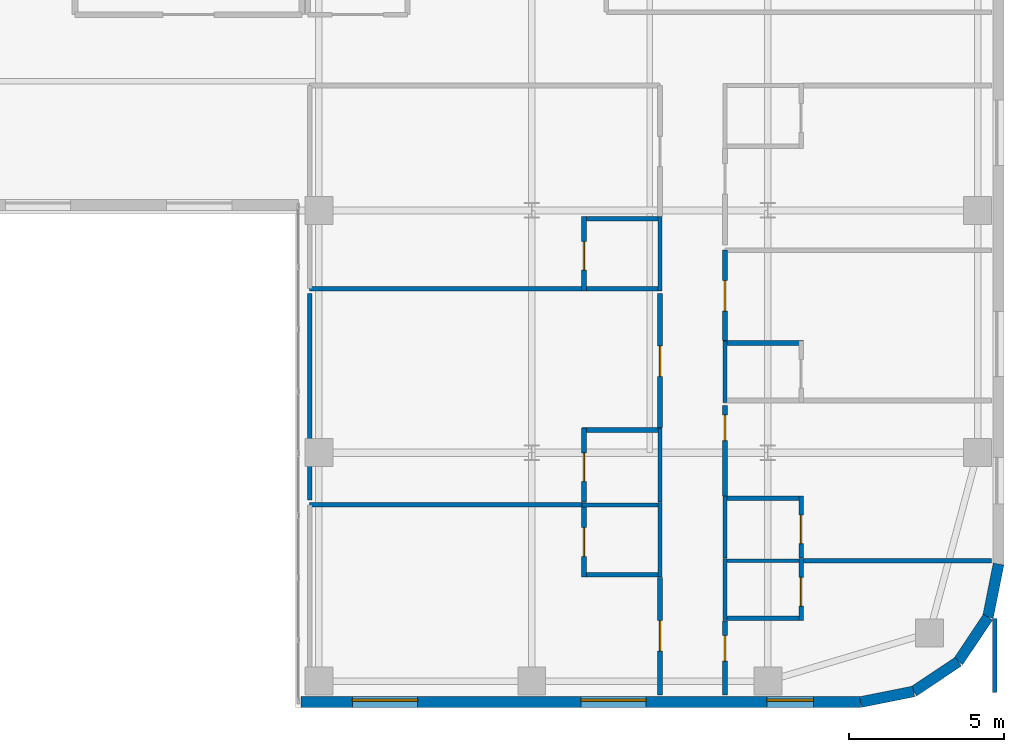
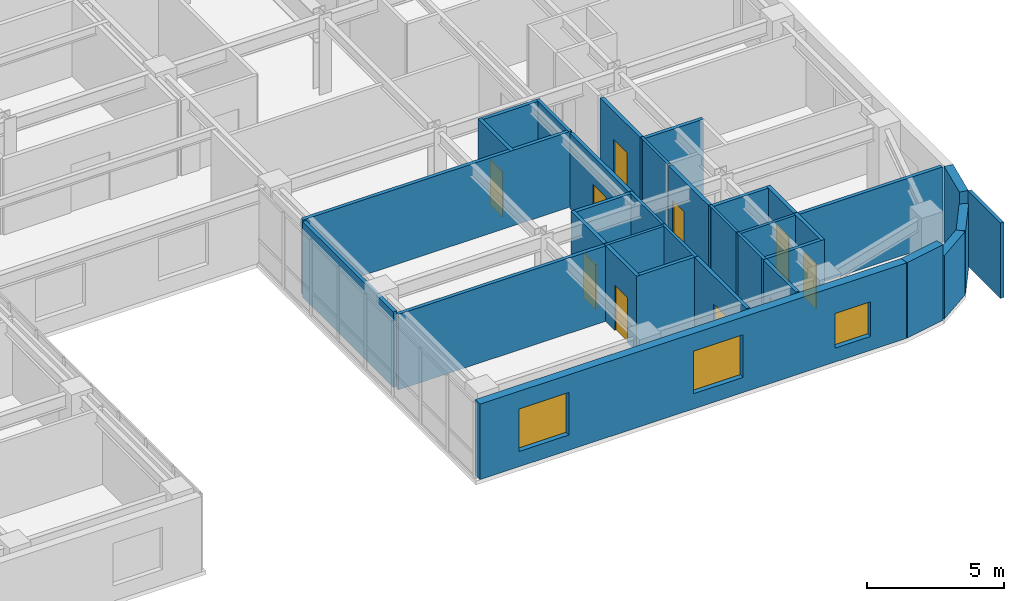
# One storey, part 12 of 17: 34 walls, 10 doors, 3 windows, 13 openings.
"""IFC4 building model written with IfcOpenShell, lengths in metres."""

from ifc_helpers import new_model, si_unit, direction, frame, frame_2d, origin, place, context, subcontext, project, spatial, rectangle, extrude, source, transform, mapped, material, layer, layer_set, type_object, type_shapes, element, fill, save


model = new_model("IFC4")

# Units and contexts
model_context = context("Model", 3, precision=1e-05, world=origin(), true_north=direction((0.0, 1.0)))
body_context = subcontext(model_context, "Body", "Model", "MODEL_VIEW")
ifc_project = project(units=[si_unit("LENGTHUNIT", "METRE"), si_unit("AREAUNIT", "SQUARE_METRE"), si_unit("VOLUMEUNIT", "CUBIC_METRE"), si_unit("PLANEANGLEUNIT", "RADIAN"), si_unit("MASSUNIT", "GRAM", prefix="KILO")], contexts=[model_context])

# Site, building, storey
site_placement = place(None, origin())
site = spatial("IfcSite", under=ifc_project, at=site_placement, CompositionType="ELEMENT")
building_placement = place(site_placement, origin())
building = spatial("IfcBuilding", under=site, at=building_placement, Name="Tolvann Quenvar Hotel", CompositionType="ELEMENT")
storey_placement = place(building_placement, frame((0.0, 0.0, 129.300048828125)))
storey = spatial("IfcBuildingStorey", under=building, at=storey_placement, Name="L33", CompositionType="ELEMENT", Elevation=129.300048828125)

# Wall, openings, windows
ifc_material_1 = material(Name="Kiln-fired red and buff architectural clay brickwork and terracotta masonry", Category="masonry")
ifc_layer_1 = layer(ifc_material_1, 0.35009765625)
ifc_layer_set_1 = layer_set([ifc_layer_1], Name="Kiln-fired red and buff architectural clay brickwork and terracotta masonry")
wall_type_1 = type_object("IfcWallType", Name="WALL_EXT_BRICK_350", PredefinedType="SOLIDWALL", material=ifc_layer_set_1)
wall_1_placement = place(storey_placement, frame((34.375, 0.175048828125, 0.0), z_axis=(0.0, 0.0, 1.0), x_axis=(1.0, 0.0, 0.0)))
wall_1 = element("IfcWall", 1, at=wall_1_placement, inside=storey, type_object=wall_type_1, Name="Exterior Chicago Brick Wall L33-E08", PredefinedType="SOLIDWALL", context=body_context, shape_type="SweptSolid", body=[
    extrude(rectangle(XDim=18.0078125, YDim=0.35009765625, at=frame_2d((9.00390625, 0.0))), origin(), (0.0, 0.0, 1.0), 3.369873046875),
])
opening_1_placement = place(wall_1_placement, frame((1.65087890625, 0.0, 0.679931640625)))
opening_1 = element("IfcOpeningElement", 2, at=opening_1_placement, cuts=wall_1, Name="Opening W-02", PredefinedType="OPENING", context=body_context, shape_type="SweptSolid", body=[
    extrude(rectangle(XDim=2.10009765625, YDim=1.89990234375, at=frame_2d((1.050048828125, 0.949951171875))), frame((0.0, 0.18505859375, 0.0), z_axis=(0.0, -1.0, 0.0), x_axis=(1.0, 0.0, 0.0)), (0.0, 0.0, 1.0), 0.3701171875),
])
opening_2_placement = place(wall_1_placement, frame((9.0048828125, 0.0, 0.679931640625)))
opening_2 = element("IfcOpeningElement", 3, at=opening_2_placement, cuts=wall_1, Name="Opening W-02", PredefinedType="OPENING", context=body_context, shape_type="SweptSolid", body=[
    extrude(rectangle(XDim=2.10009765625, YDim=1.89990234375, at=frame_2d((1.050048828125, 0.949951171875))), frame((0.0, 0.18505859375, 0.0), z_axis=(0.0, -1.0, 0.0), x_axis=(1.0, 0.0, 0.0)), (0.0, 0.0, 1.0), 0.3701171875),
])
opening_3_placement = place(wall_1_placement, frame((14.990966796875, 0.0, 0.6201171875)))
opening_3 = element("IfcOpeningElement", 4, at=opening_3_placement, cuts=wall_1, Name="Opening W-08", PredefinedType="OPENING", context=body_context, shape_type="SweptSolid", body=[
    extrude(rectangle(XDim=1.5, YDim=1.550048828125, at=frame_2d((0.75, 0.77490234375))), frame((0.0, 0.18505859375, 0.0), z_axis=(0.0, -1.0, 0.0), x_axis=(1.0, 0.0, 0.0)), (0.0, 0.0, 1.0), 0.3701171875),
])
ifc_material_2 = material(Name="Thermally broken bronze-anodised aluminium frame with double low-E glazing", Category="aluminium")
window_type_1 = type_object("IfcWindowType", Name="WIN_COR_1500x2050", PartitioningType="SINGLE_PANEL", PredefinedType="WINDOW", material=ifc_material_2)
shared_shape_1 = source(origin(), body_context, "Body", "SweptSolid", [
    extrude(rectangle(XDim=1.5, YDim=1.550048828125, at=frame_2d((0.75, 0.77490234375))), frame((0.0, 0.090087890625, 0.0), z_axis=(0.0, -1.0, 0.0), x_axis=(1.0, 0.0, 0.0)), (0.0, 0.0, 1.0), 0.06005859375),
])
type_shapes(window_type_1, [shared_shape_1])
window_1_placement = place(opening_3_placement, origin())
window_1 = element("IfcWindow", 5, at=window_1_placement, inside=storey, type_object=window_type_1, Name="Chicago Window W-08 (EW-L33-E08-WD03)", OverallHeight=1.550048828125, OverallWidth=1.5, PartitioningType="SINGLE_PANEL", PredefinedType="WINDOW", context=body_context, shape_type="MappedRepresentation", body=[
    mapped(shared_shape_1, transform((0.0, 0.0, 0.0), x_axis=(1.0, 0.0, 0.0), y_axis=(0.0, 1.0, 0.0), z_axis=(0.0, 0.0, 1.0), scale=1.0)),
])
fill(opening_3, window_1)
window_type_2 = type_object("IfcWindowType", Name="WIN_CHI_2100x2050", PartitioningType="TRIPLE_PANEL_HORIZONTAL", PredefinedType="WINDOW", material=ifc_material_2)
shared_shape_2 = source(origin(), body_context, "Body", "SweptSolid", [
    extrude(rectangle(XDim=2.10009765625, YDim=1.89990234375, at=frame_2d((1.050048828125, 0.949951171875))), frame((0.0, 0.090087890625, 0.0), z_axis=(0.0, -1.0, 0.0), x_axis=(1.0, 0.0, 0.0)), (0.0, 0.0, 1.0), 0.06005859375),
])
type_shapes(window_type_2, [shared_shape_2])
window_2_placement = place(opening_1_placement, origin())
window_2 = element("IfcWindow", 6, at=window_2_placement, inside=storey, type_object=window_type_2, Name="Chicago Window W-02 (EW-L33-E08-W01)", OverallHeight=1.89990234375, OverallWidth=2.10009765625, PartitioningType="TRIPLE_PANEL_HORIZONTAL", PredefinedType="WINDOW", context=body_context, shape_type="MappedRepresentation", body=[
    mapped(shared_shape_2, transform((0.0, 0.0, 0.0), x_axis=(1.0, 0.0, 0.0), y_axis=(0.0, 1.0, 0.0), z_axis=(0.0, 0.0, 1.0), scale=1.0)),
])
fill(opening_1, window_2)
window_3_placement = place(opening_2_placement, origin())
window_3 = element("IfcWindow", 7, at=window_3_placement, inside=storey, type_object=window_type_2, Name="Chicago Window W-02 (EW-L33-E08-W02)", OverallHeight=1.89990234375, OverallWidth=2.10009765625, PartitioningType="TRIPLE_PANEL_HORIZONTAL", PredefinedType="WINDOW", context=body_context, shape_type="MappedRepresentation", body=[
    mapped(shared_shape_2, transform((0.0, 0.0, 0.0), x_axis=(1.0, 0.0, 0.0), y_axis=(0.0, 1.0, 0.0), z_axis=(0.0, 0.0, 1.0), scale=1.0)),
])
fill(opening_2, window_3)

# Walls
wall_2_placement = place(storey_placement, frame((52.3828125, 0.175048828125, 0.0), z_axis=(0.0, 0.0, 1.0), x_axis=(0.980800971659, 0.195011420161, 0.0)))
element("IfcWall", 8, at=wall_2_placement, inside=storey, type_object=wall_type_1, Name="Exterior Chicago Brick Wall L33-E09", PredefinedType="SOLIDWALL", context=body_context, shape_type="SweptSolid", body=[
    extrude(rectangle(XDim=1.74267578125, YDim=0.35009765625, at=frame_2d((0.871337890625, 0.0))), origin(), (0.0, 0.0, 1.0), 3.369873046875),
])
for number, where, z_axis, x_axis, name in (
    (9, (54.092041015625, 0.514892578125, 0.0), (0.0, 0.0, 1.0), (0.831483840845, 0.55554893791, 0.0), "Exterior Chicago Brick Wall L33-E10"),
    (10, (55.526611328125, 1.473388671875, 0.0), (0.0, 0.0, 1.0), (0.55554893791, 0.831483840845, 0.0), "Exterior Chicago Brick Wall L33-E11"),
):
    element("IfcWall", number, at=place(storey_placement, frame(where, z_axis=z_axis, x_axis=x_axis)), inside=storey, type_object=wall_type_1, Name=name, PredefinedType="SOLIDWALL", context=body_context, shape_type="SweptSolid", body=[
        extrude(rectangle(XDim=1.725341796875, YDim=0.35009765625, at=frame_2d((0.86279296875, 0.0))), origin(), (0.0, 0.0, 1.0), 2.83203125),
    ])
wall_3_placement = place(storey_placement, frame((56.485107421875, 2.907958984375, 0.0), z_axis=(0.0, 0.0, 1.0), x_axis=(0.195011420161, 0.980800971659, 0.0)))
element("IfcWall", 11, at=wall_3_placement, inside=storey, type_object=wall_type_1, Name="Exterior Chicago Brick Wall L33-E12", PredefinedType="SOLIDWALL", context=body_context, shape_type="SweptSolid", body=[
    extrude(rectangle(XDim=1.74267578125, YDim=0.35009765625, at=frame_2d((0.871337890625, 0.0))), origin(), (0.0, 0.0, 1.0), 3.369873046875),
])
ifc_material_3 = material(Name="Moisture-resistant acoustic plumbing wall assembly")
ifc_layer_2 = layer(ifc_material_3, 0.1201171875)
ifc_layer_set_2 = layer_set([ifc_layer_2], Name="Moisture-resistant acoustic plumbing wall assembly")
wall_type_2 = type_object("IfcWallType", Name="WALL_PART_BATH_120", PredefinedType="PLUMBINGWALL", material=ifc_layer_set_2)
wall_4_placement = place(storey_placement, frame((43.409912109375, 6.52001953125, 0.0), z_axis=(0.0, 0.0, 1.0), x_axis=(1.0, 0.0, 0.0)))
element("IfcWall", 12, at=wall_4_placement, inside=storey, type_object=wall_type_2, Name="Non-Rated Plumbing Partition PT-SPC-L33-ENS-EI01-N", PredefinedType="PLUMBINGWALL", context=body_context, shape_type="SweptSolid", body=[
    extrude(rectangle(XDim=2.590087890625, YDim=0.1201171875, at=frame_2d((1.294921875, 0.0))), origin(), (0.0, 0.0, 1.0), 3.369873046875),
])
wall_5_placement = place(storey_placement, frame((45.929931640625, 4.199951171875, 0.0), z_axis=(0.0, 0.0, 1.0), x_axis=(0.0, 1.0, 0.0)))
element("IfcWall", 13, at=wall_5_placement, inside=storey, type_object=wall_type_2, Name="Non-Rated Plumbing Partition PT-SPC-L33-ENS-EI01-E", PredefinedType="PLUMBINGWALL", context=body_context, shape_type="SweptSolid", body=[
    extrude(rectangle(XDim=2.39013671875, YDim=0.1201171875, at=frame_2d((1.195068359375, 0.0))), origin(), (0.0, 0.0, 1.0), 3.369873046875),
])
wall_6_placement = place(storey_placement, frame((45.929931640625, 6.610107421875, 0.0), z_axis=(0.0, 0.0, 1.0), x_axis=(0.0, 1.0, 0.0)))
element("IfcWall", 14, at=wall_6_placement, inside=storey, type_object=wall_type_2, Name="Non-Rated Plumbing Partition PT-SPC-L33-ENS-EI02-E", PredefinedType="PLUMBINGWALL", context=body_context, shape_type="SweptSolid", body=[
    extrude(rectangle(XDim=2.389892578125, YDim=0.1201171875, at=frame_2d((1.19482421875, 0.0))), origin(), (0.0, 0.0, 1.0), 3.369873046875),
])
wall_7_placement = place(storey_placement, frame((45.929931640625, 13.409912109375, 0.0), z_axis=(0.0, 0.0, 1.0), x_axis=(0.0, 1.0, 0.0)))
element("IfcWall", 15, at=wall_7_placement, inside=storey, type_object=wall_type_2, Name="Non-Rated Plumbing Partition PT-SPC-L33-ENS-EI03-E", PredefinedType="PLUMBINGWALL", context=body_context, shape_type="SweptSolid", body=[
    extrude(rectangle(XDim=2.39013671875, YDim=0.1201171875, at=frame_2d((1.195068359375, 0.0))), origin(), (0.0, 0.0, 1.0), 3.369873046875),
])
wall_8_placement = place(storey_placement, frame((47.949951171875, 4.719970703125, 0.0), z_axis=(0.0, 0.0, 1.0), x_axis=(1.0, 0.0, 0.0)))
element("IfcWall", 16, at=wall_8_placement, inside=storey, type_object=wall_type_2, Name="Non-Rated Plumbing Partition PT-SPC-L33-ENS-EO01-N", PredefinedType="PLUMBINGWALL", context=body_context, shape_type="SweptSolid", body=[
    extrude(rectangle(XDim=2.590087890625, YDim=0.1201171875, at=frame_2d((1.294921875, 0.0))), origin(), (0.0, 0.0, 1.0), 3.369873046875),
])
for number, where, z_axis, x_axis, name in (
    (17, (48.02001953125, 2.800048828125, 0.0), (0.0, 0.0, 1.0), (0.0, 1.0, 0.0), "Non-Rated Plumbing Partition PT-SPC-L33-ENS-EO01-W"),
    (18, (48.02001953125, 4.81005859375, 0.0), (0.0, 0.0, 1.0), (0.0, 1.0, 0.0), "Non-Rated Plumbing Partition PT-SPC-L33-ENS-EO02-W"),
    (19, (48.02001953125, 9.81005859375, 0.0), (0.0, 0.0, 1.0), (0.0, 1.0, 0.0), "Non-Rated Plumbing Partition PT-SPC-L33-ENS-EO03-W"),
):
    element("IfcWall", number, at=place(storey_placement, frame(where, z_axis=z_axis, x_axis=x_axis)), inside=storey, type_object=wall_type_2, Name=name, PredefinedType="PLUMBINGWALL", context=body_context, shape_type="SweptSolid", body=[
        extrude(rectangle(XDim=1.989990234375, YDim=0.1201171875, at=frame_2d((0.9951171875, 0.0))), origin(), (0.0, 0.0, 1.0), 3.369873046875),
    ])

# Wall, opening, door
ifc_material_4 = material(Name="Acoustic twin-stud fire-rated gypsum plasterboard partition")
ifc_layer_3 = layer(ifc_material_4, 0.14990234375)
ifc_layer_set_3 = layer_set([ifc_layer_3], Name="Acoustic twin-stud fire-rated gypsum plasterboard partition")
wall_type_3 = type_object("IfcWallType", Name="WALL_PART_SUITE_150", PredefinedType="PARTITIONING", material=ifc_layer_set_3)
wall_9_placement = place(storey_placement, frame((43.47998046875, 4.199951171875, 0.0), z_axis=(0.0, 0.0, 1.0), x_axis=(0.0, 1.0, 0.0)))
wall_9 = element("IfcWall", 20, at=wall_9_placement, inside=storey, type_object=wall_type_3, Name="Interior Partition PT-SPC-L33-ENS-EI01-ENT", PredefinedType="PARTITIONING", context=body_context, shape_type="SweptSolid", body=[
    extrude(rectangle(XDim=2.39013671875, YDim=0.14990234375, at=frame_2d((1.195068359375, 0.0))), origin(), (0.0, 0.0, 1.0), 3.369873046875),
])
opening_4_placement = place(wall_9_placement, frame((0.6650390625, 0.0, 0.0)))
opening_4 = element("IfcOpeningElement", 21, at=opening_4_placement, cuts=wall_9, Name="Opening WD-01", PredefinedType="OPENING", context=body_context, shape_type="SweptSolid", body=[
    extrude(rectangle(XDim=0.919921875, YDim=2.010009765625, at=frame_2d((0.4599609375, 1.0048828125))), frame((0.0, 0.0849609375, 0.0), z_axis=(0.0, -1.0, 0.0), x_axis=(1.0, 0.0, 0.0)), (0.0, 0.0, 1.0), 0.169921875),
])
ifc_material_5 = material(Name="Solid-core American oak acoustic fire door leaf in steel frame", Category="steel")
door_type_1 = type_object("IfcDoorType", Name="DOOR_WC_920", OperationType="NOTDEFINED", PredefinedType="DOOR", material=ifc_material_5)
shared_shape_3 = source(origin(), body_context, "Body", "SweptSolid", [
    extrude(rectangle(XDim=0.919921875, YDim=2.010009765625, at=frame_2d((0.4599609375, 1.0048828125))), frame((0.0, 0.02490234375, 0.0), z_axis=(0.0, -1.0, 0.0), x_axis=(1.0, 0.0, 0.0)), (0.0, 0.0, 1.0), 0.050048828125),
])
type_shapes(door_type_1, [shared_shape_3])
door_1_placement = place(opening_4_placement, origin())
door_1 = element("IfcDoor", 22, at=door_1_placement, inside=storey, type_object=door_type_1, Name="Interior Door DOOR-SPC-L33-ENS-EI01", OperationType="SINGLE_SWING_LEFT", OverallHeight=2.010009765625, OverallWidth=0.919921875, PredefinedType="DOOR", context=body_context, shape_type="MappedRepresentation", body=[
    mapped(shared_shape_3, transform((0.0, 0.0, 0.0), x_axis=(1.0, 0.0, 0.0), y_axis=(0.0, 1.0, 0.0), z_axis=(0.0, 0.0, 1.0), scale=1.0)),
])
fill(opening_4, door_1)

# Wall
wall_10_placement = place(storey_placement, frame((43.409912109375, 4.27001953125, 0.0), z_axis=(0.0, 0.0, 1.0), x_axis=(1.0, 0.0, 0.0)))
element("IfcWall", 23, at=wall_10_placement, inside=storey, type_object=wall_type_3, Name="Interior Partition PT-SPC-L33-ENS-EI01-S", PredefinedType="PARTITIONING", context=body_context, shape_type="SweptSolid", body=[
    extrude(rectangle(XDim=2.590087890625, YDim=0.14990234375, at=frame_2d((1.294921875, 0.0))), origin(), (0.0, 0.0, 1.0), 3.369873046875),
])

# Wall, opening, door
wall_11_placement = place(storey_placement, frame((43.47998046875, 6.610107421875, 0.0), z_axis=(0.0, 0.0, 1.0), x_axis=(0.0, 1.0, 0.0)))
wall_11 = element("IfcWall", 24, at=wall_11_placement, inside=storey, type_object=wall_type_3, Name="Interior Partition PT-SPC-L33-ENS-EI02-ENT", PredefinedType="PARTITIONING", context=body_context, shape_type="SweptSolid", body=[
    extrude(rectangle(XDim=2.389892578125, YDim=0.14990234375, at=frame_2d((1.19482421875, 0.0))), origin(), (0.0, 0.0, 1.0), 3.369873046875),
])
opening_5_placement = place(wall_11_placement, frame((0.6650390625, 0.0, 0.0)))
opening_5 = element("IfcOpeningElement", 25, at=opening_5_placement, cuts=wall_11, Name="Opening WD-01", PredefinedType="OPENING", context=body_context, shape_type="SweptSolid", body=[
    extrude(rectangle(XDim=0.919921875, YDim=2.010009765625, at=frame_2d((0.4599609375, 1.0048828125))), frame((0.0, 0.0849609375, 0.0), z_axis=(0.0, -1.0, 0.0), x_axis=(1.0, 0.0, 0.0)), (0.0, 0.0, 1.0), 0.169921875),
])
door_2_placement = place(opening_5_placement, origin())
door_2 = element("IfcDoor", 26, at=door_2_placement, inside=storey, type_object=door_type_1, Name="Interior Door DOOR-SPC-L33-ENS-EI02", OperationType="SINGLE_SWING_RIGHT", OverallHeight=2.010009765625, OverallWidth=0.919921875, PredefinedType="DOOR", context=body_context, shape_type="MappedRepresentation", body=[
    mapped(shared_shape_3, transform((0.0, 0.0, 0.0), x_axis=(1.0, 0.0, 0.0), y_axis=(0.0, 1.0, 0.0), z_axis=(0.0, 0.0, 1.0), scale=1.0)),
])
fill(opening_5, door_2)

# Wall
wall_12_placement = place(storey_placement, frame((43.409912109375, 8.929931640625, 0.0), z_axis=(0.0, 0.0, 1.0), x_axis=(1.0, 0.0, 0.0)))
element("IfcWall", 27, at=wall_12_placement, inside=storey, type_object=wall_type_3, Name="Interior Partition PT-SPC-L33-ENS-EI02-N", PredefinedType="PARTITIONING", context=body_context, shape_type="SweptSolid", body=[
    extrude(rectangle(XDim=2.590087890625, YDim=0.14990234375, at=frame_2d((1.294921875, 0.0))), origin(), (0.0, 0.0, 1.0), 3.369873046875),
])

# Wall, opening, door
wall_13_placement = place(storey_placement, frame((43.47998046875, 13.409912109375, 0.0), z_axis=(0.0, 0.0, 1.0), x_axis=(0.0, 1.0, 0.0)))
wall_13 = element("IfcWall", 28, at=wall_13_placement, inside=storey, type_object=wall_type_3, Name="Interior Partition PT-SPC-L33-ENS-EI03-ENT", PredefinedType="PARTITIONING", context=body_context, shape_type="SweptSolid", body=[
    extrude(rectangle(XDim=2.39013671875, YDim=0.14990234375, at=frame_2d((1.195068359375, 0.0))), origin(), (0.0, 0.0, 1.0), 3.369873046875),
])
opening_6_placement = place(wall_13_placement, frame((0.6650390625, 0.0, 0.0)))
opening_6 = element("IfcOpeningElement", 29, at=opening_6_placement, cuts=wall_13, Name="Opening WD-01", PredefinedType="OPENING", context=body_context, shape_type="SweptSolid", body=[
    extrude(rectangle(XDim=0.919921875, YDim=2.010009765625, at=frame_2d((0.4599609375, 1.0048828125))), frame((0.0, 0.0849609375, 0.0), z_axis=(0.0, -1.0, 0.0), x_axis=(1.0, 0.0, 0.0)), (0.0, 0.0, 1.0), 0.169921875),
])
door_3_placement = place(opening_6_placement, origin())
door_3 = element("IfcDoor", 30, at=door_3_placement, inside=storey, type_object=door_type_1, Name="Interior Door DOOR-SPC-L33-ENS-EI03", OperationType="SINGLE_SWING_LEFT", OverallHeight=2.010009765625, OverallWidth=0.919921875, PredefinedType="DOOR", context=body_context, shape_type="MappedRepresentation", body=[
    mapped(shared_shape_3, transform((0.0, 0.0, 0.0), x_axis=(1.0, 0.0, 0.0), y_axis=(0.0, 1.0, 0.0), z_axis=(0.0, 0.0, 1.0), scale=1.0)),
])
fill(opening_6, door_3)

# Walls
wall_14_placement = place(storey_placement, frame((34.64990234375, 13.47998046875, 0.0), z_axis=(0.0, 0.0, 1.0), x_axis=(1.0, 0.0, 0.0)))
element("IfcWall", 31, at=wall_14_placement, inside=storey, type_object=wall_type_3, Name="Interior Partition PT-SPC-L33-ENS-EI03-S", PredefinedType="PARTITIONING", context=body_context, shape_type="SweptSolid", body=[
    extrude(rectangle(XDim=11.35009765625, YDim=0.14990234375, at=frame_2d((5.675048828125, 0.0))), origin(), (0.0, 0.0, 1.0), 3.369873046875),
])
wall_15_placement = place(storey_placement, frame((43.409912109375, 15.72998046875, 0.0), z_axis=(0.0, 0.0, 1.0), x_axis=(1.0, 0.0, 0.0)))
element("IfcWall", 32, at=wall_15_placement, inside=storey, type_object=wall_type_3, Name="Interior Partition PT-SPC-L33-ENS-EI03-N", PredefinedType="PARTITIONING", context=body_context, shape_type="SweptSolid", body=[
    extrude(rectangle(XDim=2.590087890625, YDim=0.14990234375, at=frame_2d((1.294921875, 0.0))), origin(), (0.0, 0.0, 1.0), 3.369873046875),
])

# Wall, opening, door
wall_16_placement = place(storey_placement, frame((50.469970703125, 2.800048828125, 0.0), z_axis=(0.0, 0.0, 1.0), x_axis=(0.0, 1.0, 0.0)))
wall_16 = element("IfcWall", 33, at=wall_16_placement, inside=storey, type_object=wall_type_3, Name="Interior Partition PT-SPC-L33-ENS-EO01-ENT", PredefinedType="PARTITIONING", context=body_context, shape_type="SweptSolid", body=[
    extrude(rectangle(XDim=1.989990234375, YDim=0.14990234375, at=frame_2d((0.9951171875, 0.0))), origin(), (0.0, 0.0, 1.0), 3.369873046875),
])
opening_7_placement = place(wall_16_placement, frame((0.465087890625, 0.0, 0.0)))
opening_7 = element("IfcOpeningElement", 34, at=opening_7_placement, cuts=wall_16, Name="Opening WD-01", PredefinedType="OPENING", context=body_context, shape_type="SweptSolid", body=[
    extrude(rectangle(XDim=0.919921875, YDim=2.010009765625, at=frame_2d((0.4599609375, 1.0048828125))), frame((0.0, 0.0849609375, 0.0), z_axis=(0.0, -1.0, 0.0), x_axis=(1.0, 0.0, 0.0)), (0.0, 0.0, 1.0), 0.169921875),
])
door_4_placement = place(opening_7_placement, origin())
door_4 = element("IfcDoor", 35, at=door_4_placement, inside=storey, type_object=door_type_1, Name="Interior Door DOOR-SPC-L33-ENS-EO01", OperationType="SINGLE_SWING_RIGHT", OverallHeight=2.010009765625, OverallWidth=0.919921875, PredefinedType="DOOR", context=body_context, shape_type="MappedRepresentation", body=[
    mapped(shared_shape_3, transform((0.0, 0.0, 0.0), x_axis=(1.0, 0.0, 0.0), y_axis=(0.0, 1.0, 0.0), z_axis=(0.0, 0.0, 1.0), scale=1.0)),
])
fill(opening_7, door_4)

# Wall
wall_17_placement = place(storey_placement, frame((47.949951171875, 2.8701171875, 0.0), z_axis=(0.0, 0.0, 1.0), x_axis=(1.0, 0.0, 0.0)))
element("IfcWall", 36, at=wall_17_placement, inside=storey, type_object=wall_type_3, Name="Interior Partition PT-SPC-L33-ENS-EO01-S", PredefinedType="PARTITIONING", context=body_context, shape_type="SweptSolid", body=[
    extrude(rectangle(XDim=2.590087890625, YDim=0.14990234375, at=frame_2d((1.294921875, 0.0))), origin(), (0.0, 0.0, 1.0), 3.369873046875),
])

# Wall, opening, door
wall_18_placement = place(storey_placement, frame((50.469970703125, 4.81005859375, 0.0), z_axis=(0.0, 0.0, 1.0), x_axis=(0.0, 1.0, 0.0)))
wall_18 = element("IfcWall", 37, at=wall_18_placement, inside=storey, type_object=wall_type_3, Name="Interior Partition PT-SPC-L33-ENS-EO02-ENT", PredefinedType="PARTITIONING", context=body_context, shape_type="SweptSolid", body=[
    extrude(rectangle(XDim=1.989990234375, YDim=0.14990234375, at=frame_2d((0.9951171875, 0.0))), origin(), (0.0, 0.0, 1.0), 3.369873046875),
])
opening_8_placement = place(wall_18_placement, frame((0.465087890625, 0.0, 0.0)))
opening_8 = element("IfcOpeningElement", 38, at=opening_8_placement, cuts=wall_18, Name="Opening WD-01", PredefinedType="OPENING", context=body_context, shape_type="SweptSolid", body=[
    extrude(rectangle(XDim=0.919921875, YDim=2.010009765625, at=frame_2d((0.4599609375, 1.0048828125))), frame((0.0, 0.0849609375, 0.0), z_axis=(0.0, -1.0, 0.0), x_axis=(1.0, 0.0, 0.0)), (0.0, 0.0, 1.0), 0.169921875),
])
door_5_placement = place(opening_8_placement, origin())
door_5 = element("IfcDoor", 39, at=door_5_placement, inside=storey, type_object=door_type_1, Name="Interior Door DOOR-SPC-L33-ENS-EO02", OperationType="SINGLE_SWING_LEFT", OverallHeight=2.010009765625, OverallWidth=0.919921875, PredefinedType="DOOR", context=body_context, shape_type="MappedRepresentation", body=[
    mapped(shared_shape_3, transform((0.0, 0.0, 0.0), x_axis=(1.0, 0.0, 0.0), y_axis=(0.0, 1.0, 0.0), z_axis=(0.0, 0.0, 1.0), scale=1.0)),
])
fill(opening_8, door_5)

# Walls
for number, where, z_axis, x_axis, name in (
    (40, (47.949951171875, 6.72998046875, 0.0), (0.0, 0.0, 1.0), (1.0, 0.0, 0.0), "Interior Partition PT-SPC-L33-ENS-EO02-N"),
    (41, (47.949951171875, 11.72998046875, 0.0), (0.0, 0.0, 1.0), (1.0, 0.0, 0.0), "Interior Partition PT-SPC-L33-ENS-EO03-N"),
):
    element("IfcWall", number, at=place(storey_placement, frame(where, z_axis=z_axis, x_axis=x_axis)), inside=storey, type_object=wall_type_3, Name=name, PredefinedType="PARTITIONING", context=body_context, shape_type="SweptSolid", body=[
        extrude(rectangle(XDim=2.590087890625, YDim=0.14990234375, at=frame_2d((1.294921875, 0.0))), origin(), (0.0, 0.0, 1.0), 3.369873046875),
    ])

# Wall, opening, door
wall_19_placement = place(storey_placement, frame((45.929931640625, 0.405029296875, 0.0), z_axis=(0.0, 0.0, 1.0), x_axis=(0.0, 1.0, 0.0)))
wall_19 = element("IfcWall", 42, at=wall_19_placement, inside=storey, type_object=wall_type_3, Name="Interior Partition PT-SPC-L33-RM-EI01-ENT", PredefinedType="PARTITIONING", context=body_context, shape_type="SweptSolid", body=[
    extrude(rectangle(XDim=3.784912109375, YDim=0.14990234375, at=frame_2d((1.892578125, 0.0))), origin(), (0.0, 0.0, 1.0), 3.369873046875),
])
opening_9_placement = place(wall_19_placement, frame((1.409912109375, 0.0, 0.0)))
opening_9 = element("IfcOpeningElement", 43, at=opening_9_placement, cuts=wall_19, Name="Opening SD-01", PredefinedType="OPENING", context=body_context, shape_type="SweptSolid", body=[
    extrude(rectangle(XDim=0.97998046875, YDim=2.1201171875, at=frame_2d((0.489990234375, 1.06005859375))), frame((0.0, 0.0849609375, 0.0), z_axis=(0.0, -1.0, 0.0), x_axis=(1.0, 0.0, 0.0)), (0.0, 0.0, 1.0), 0.169921875),
])
door_type_2 = type_object("IfcDoorType", Name="DOOR_SUITE_980", OperationType="NOTDEFINED", PredefinedType="DOOR", material=ifc_material_5)
shared_shape_4 = source(origin(), body_context, "Body", "SweptSolid", [
    extrude(rectangle(XDim=0.97998046875, YDim=2.1201171875, at=frame_2d((0.489990234375, 1.06005859375))), frame((0.0, 0.02490234375, 0.0), z_axis=(0.0, -1.0, 0.0), x_axis=(1.0, 0.0, 0.0)), (0.0, 0.0, 1.0), 0.050048828125),
])
type_shapes(door_type_2, [shared_shape_4])
door_6_placement = place(opening_9_placement, origin())
door_6 = element("IfcDoor", 44, at=door_6_placement, inside=storey, type_object=door_type_2, Name="Interior Door DOOR-SPC-L33-RM-EI01", OperationType="SINGLE_SWING_RIGHT", OverallHeight=2.1201171875, OverallWidth=0.97998046875, PredefinedType="DOOR", context=body_context, shape_type="MappedRepresentation", body=[
    mapped(shared_shape_4, transform((0.0, 0.0, 0.0), x_axis=(1.0, 0.0, 0.0), y_axis=(0.0, 1.0, 0.0), z_axis=(0.0, 0.0, 1.0), scale=1.0)),
])
fill(opening_9, door_6)

# Wall
wall_20_placement = place(storey_placement, frame((34.64990234375, 6.52001953125, 0.0), z_axis=(0.0, 0.0, 1.0), x_axis=(1.0, 0.0, 0.0)))
element("IfcWall", 45, at=wall_20_placement, inside=storey, type_object=wall_type_3, Name="Interior Partition PT-SPC-L33-RM-EI01-E5", PredefinedType="PARTITIONING", context=body_context, shape_type="SweptSolid", body=[
    extrude(rectangle(XDim=8.81005859375, YDim=0.14990234375, at=frame_2d((4.405029296875, 0.0))), origin(), (0.0, 0.0, 1.0), 3.369873046875),
])

# Wall, opening, door
wall_21_placement = place(storey_placement, frame((45.929931640625, 9.010009765625, 0.0), z_axis=(0.0, 0.0, 1.0), x_axis=(0.0, 1.0, 0.0)))
wall_21 = element("IfcWall", 46, at=wall_21_placement, inside=storey, type_object=wall_type_3, Name="Interior Partition PT-SPC-L33-RM-EI02-ENT", PredefinedType="PARTITIONING", context=body_context, shape_type="SweptSolid", body=[
    extrude(rectangle(XDim=4.31005859375, YDim=0.14990234375, at=frame_2d((2.155029296875, 0.0))), origin(), (0.0, 0.0, 1.0), 3.369873046875),
])
opening_10_placement = place(wall_21_placement, frame((1.64501953125, 0.0, 0.0)))
opening_10 = element("IfcOpeningElement", 47, at=opening_10_placement, cuts=wall_21, Name="Opening SD-01", PredefinedType="OPENING", context=body_context, shape_type="SweptSolid", body=[
    extrude(rectangle(XDim=0.97998046875, YDim=2.1201171875, at=frame_2d((0.489990234375, 1.06005859375))), frame((0.0, 0.0849609375, 0.0), z_axis=(0.0, -1.0, 0.0), x_axis=(1.0, 0.0, 0.0)), (0.0, 0.0, 1.0), 0.169921875),
])
door_7_placement = place(opening_10_placement, origin())
door_7 = element("IfcDoor", 48, at=door_7_placement, inside=storey, type_object=door_type_2, Name="Interior Door DOOR-SPC-L33-RM-EI02", OperationType="SINGLE_SWING_LEFT", OverallHeight=2.1201171875, OverallWidth=0.97998046875, PredefinedType="DOOR", context=body_context, shape_type="MappedRepresentation", body=[
    mapped(shared_shape_4, transform((0.0, 0.0, 0.0), x_axis=(1.0, 0.0, 0.0), y_axis=(0.0, 1.0, 0.0), z_axis=(0.0, 0.0, 1.0), scale=1.0)),
])
fill(opening_10, door_7)

# Wall
wall_22_placement = place(storey_placement, frame((34.64990234375, 6.679931640625, 0.0), z_axis=(0.0, 0.0, 1.0), x_axis=(0.0, 1.0, 0.0)))
element("IfcWall", 49, at=wall_22_placement, inside=storey, type_object=wall_type_3, Name="Interior Partition PT-SPC-L33-RM-EI02-E6", PredefinedType="PARTITIONING", context=body_context, shape_type="SweptSolid", body=[
    extrude(rectangle(XDim=6.64013671875, YDim=0.14990234375, at=frame_2d((3.320068359375, 0.0))), origin(), (0.0, 0.0, 1.0), 3.369873046875),
])

# Wall, opening, door
wall_23_placement = place(storey_placement, frame((48.02001953125, 0.405029296875, 0.0), z_axis=(0.0, 0.0, 1.0), x_axis=(0.0, 1.0, 0.0)))
wall_23 = element("IfcWall", 50, at=wall_23_placement, inside=storey, type_object=wall_type_3, Name="Interior Partition PT-SPC-L33-RM-EO01-ENT", PredefinedType="PARTITIONING", context=body_context, shape_type="SweptSolid", body=[
    extrude(rectangle(XDim=2.385009765625, YDim=0.14990234375, at=frame_2d((1.1923828125, 0.0))), origin(), (0.0, 0.0, 1.0), 3.369873046875),
])
opening_11_placement = place(wall_23_placement, frame((1.090087890625, 0.0, 0.0)))
opening_11 = element("IfcOpeningElement", 51, at=opening_11_placement, cuts=wall_23, Name="Opening HD-02", PredefinedType="OPENING", context=body_context, shape_type="SweptSolid", body=[
    extrude(rectangle(XDim=0.820068359375, YDim=2.010009765625, at=frame_2d((0.41015625, 1.0048828125))), frame((0.0, 0.0849609375, 0.0), z_axis=(0.0, -1.0, 0.0), x_axis=(1.0, 0.0, 0.0)), (0.0, 0.0, 1.0), 0.169921875),
])
ifc_material_6 = material(Name="Pressed galvanised steel fire-rated door set", Category="steel")
door_type_3 = type_object("IfcDoorType", Name="DOOR_STORE_820", OperationType="NOTDEFINED", PredefinedType="DOOR", material=ifc_material_6)
shared_shape_5 = source(origin(), body_context, "Body", "SweptSolid", [
    extrude(rectangle(XDim=0.820068359375, YDim=2.010009765625, at=frame_2d((0.41015625, 1.0048828125))), frame((0.0, 0.02490234375, 0.0), z_axis=(0.0, -1.0, 0.0), x_axis=(1.0, 0.0, 0.0)), (0.0, 0.0, 1.0), 0.050048828125),
])
type_shapes(door_type_3, [shared_shape_5])
door_8_placement = place(opening_11_placement, origin())
door_8 = element("IfcDoor", 52, at=door_8_placement, inside=storey, type_object=door_type_3, Name="Interior Door DOOR-SPC-L33-RM-EO01", OperationType="SINGLE_SWING_LEFT", OverallHeight=2.010009765625, OverallWidth=0.820068359375, PredefinedType="DOOR", context=body_context, shape_type="MappedRepresentation", body=[
    mapped(shared_shape_5, transform((0.0, 0.0, 0.0), x_axis=(1.0, 0.0, 0.0), y_axis=(0.0, 1.0, 0.0), z_axis=(0.0, 0.0, 1.0), scale=1.0)),
])
fill(opening_11, door_8)

# Walls
wall_24_placement = place(storey_placement, frame((56.699951171875, 0.47998046875, 0.0), z_axis=(0.0, 0.0, 1.0), x_axis=(0.0, 1.0, 0.0)))
element("IfcWall", 53, at=wall_24_placement, inside=storey, type_object=wall_type_3, Name="Interior Partition PT-SPC-L33-RM-EO01-E2", PredefinedType="PARTITIONING", context=body_context, shape_type="SweptSolid", body=[
    extrude(rectangle(XDim=2.385009765625, YDim=0.14990234375, at=frame_2d((1.1923828125, 0.0))), origin(), (0.0, 0.0, 1.0), 3.369873046875),
])
wall_25_placement = place(storey_placement, frame((50.489990234375, 4.719970703125, 0.0), z_axis=(0.0, 0.0, 1.0), x_axis=(1.0, 0.0, 0.0)))
element("IfcWall", 54, at=wall_25_placement, inside=storey, type_object=wall_type_3, Name="Interior Partition PT-SPC-L33-RM-EO01-E3", PredefinedType="PARTITIONING", context=body_context, shape_type="SweptSolid", body=[
    extrude(rectangle(XDim=6.10498046875, YDim=0.14990234375, at=frame_2d((3.052490234375, 0.0))), origin(), (0.0, 0.0, 1.0), 3.369873046875),
])

# Wall, opening, door
wall_26_placement = place(storey_placement, frame((48.02001953125, 6.81005859375, 0.0), z_axis=(0.0, 0.0, 1.0), x_axis=(0.0, 1.0, 0.0)))
wall_26 = element("IfcWall", 55, at=wall_26_placement, inside=storey, type_object=wall_type_3, Name="Interior Partition PT-SPC-L33-RM-EO02-ENT", PredefinedType="PARTITIONING", context=body_context, shape_type="SweptSolid", body=[
    extrude(rectangle(XDim=2.909912109375, YDim=0.14990234375, at=frame_2d((1.455078125, 0.0))), origin(), (0.0, 0.0, 1.0), 3.369873046875),
])
opening_12_placement = place(wall_26_placement, frame((1.780029296875, 0.0, 0.0)))
opening_12 = element("IfcOpeningElement", 56, at=opening_12_placement, cuts=wall_26, Name="Opening HD-02", PredefinedType="OPENING", context=body_context, shape_type="SweptSolid", body=[
    extrude(rectangle(XDim=0.820068359375, YDim=2.010009765625, at=frame_2d((0.41015625, 1.0048828125))), frame((0.0, 0.0849609375, 0.0), z_axis=(0.0, -1.0, 0.0), x_axis=(1.0, 0.0, 0.0)), (0.0, 0.0, 1.0), 0.169921875),
])
door_9_placement = place(opening_12_placement, origin())
door_9 = element("IfcDoor", 57, at=door_9_placement, inside=storey, type_object=door_type_3, Name="Interior Door DOOR-SPC-L33-RM-EO02", OperationType="SINGLE_SWING_RIGHT", OverallHeight=2.010009765625, OverallWidth=0.820068359375, PredefinedType="DOOR", context=body_context, shape_type="MappedRepresentation", body=[
    mapped(shared_shape_5, transform((0.0, 0.0, 0.0), x_axis=(1.0, 0.0, 0.0), y_axis=(0.0, 1.0, 0.0), z_axis=(0.0, 0.0, 1.0), scale=1.0)),
])
fill(opening_12, door_9)

wall_27_placement = place(storey_placement, frame((48.02001953125, 11.81005859375, 0.0), z_axis=(0.0, 0.0, 1.0), x_axis=(0.0, 1.0, 0.0)))
wall_27 = element("IfcWall", 58, at=wall_27_placement, inside=storey, type_object=wall_type_3, Name="Interior Partition PT-SPC-L33-RM-EO03-ENT", PredefinedType="PARTITIONING", context=body_context, shape_type="SweptSolid", body=[
    extrude(rectangle(XDim=2.909912109375, YDim=0.14990234375, at=frame_2d((1.455078125, 0.0))), origin(), (0.0, 0.0, 1.0), 3.369873046875),
])
opening_13_placement = place(wall_27_placement, frame((0.945068359375, 0.0, 0.0)))
opening_13 = element("IfcOpeningElement", 59, at=opening_13_placement, cuts=wall_27, Name="Opening SD-01", PredefinedType="OPENING", context=body_context, shape_type="SweptSolid", body=[
    extrude(rectangle(XDim=0.97998046875, YDim=2.1201171875, at=frame_2d((0.489990234375, 1.06005859375))), frame((0.0, 0.0849609375, 0.0), z_axis=(0.0, -1.0, 0.0), x_axis=(1.0, 0.0, 0.0)), (0.0, 0.0, 1.0), 0.169921875),
])
door_10_placement = place(opening_13_placement, origin())
door_10 = element("IfcDoor", 60, at=door_10_placement, inside=storey, type_object=door_type_2, Name="Interior Door DOOR-SPC-L33-RM-EO03", OperationType="SINGLE_SWING_LEFT", OverallHeight=2.1201171875, OverallWidth=0.97998046875, PredefinedType="DOOR", context=body_context, shape_type="MappedRepresentation", body=[
    mapped(shared_shape_4, transform((0.0, 0.0, 0.0), x_axis=(1.0, 0.0, 0.0), y_axis=(0.0, 1.0, 0.0), z_axis=(0.0, 0.0, 1.0), scale=1.0)),
])
fill(opening_13, door_10)

save(model, "model.ifc")
